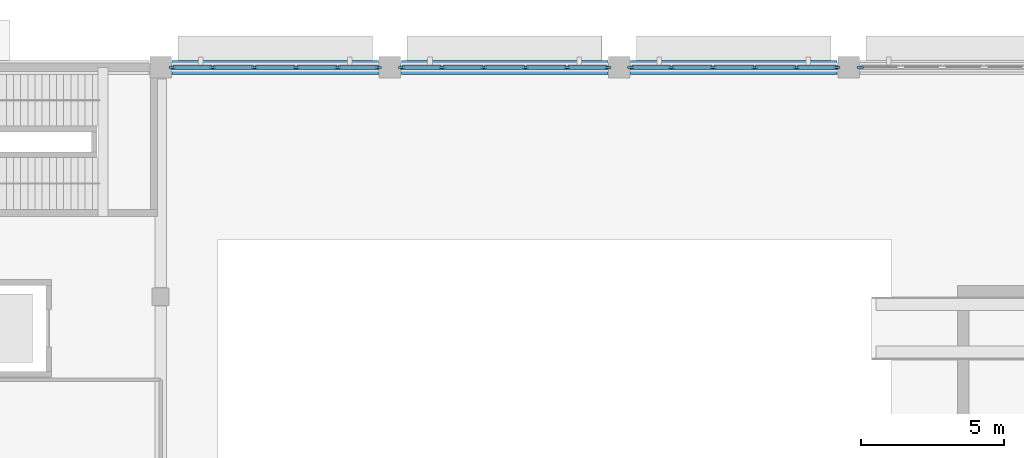
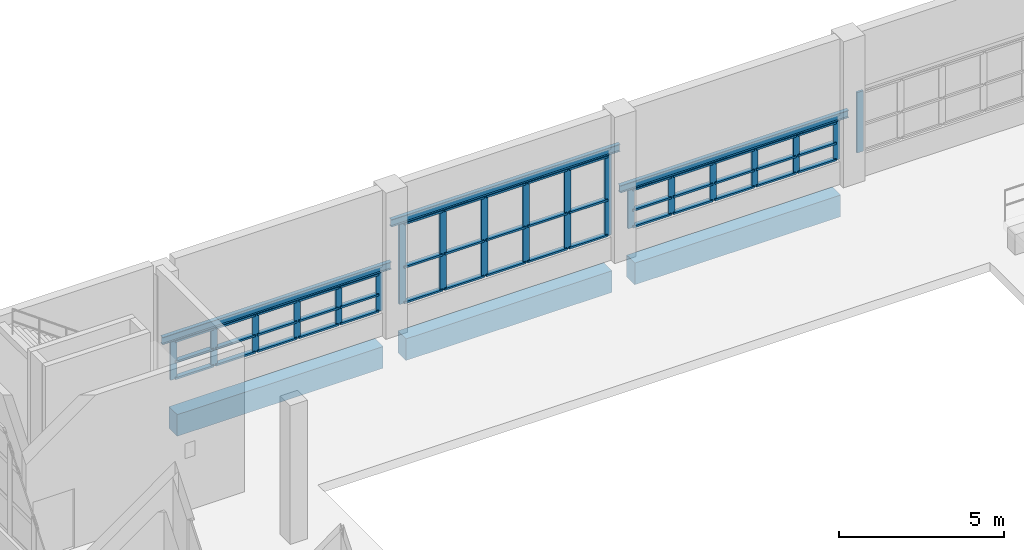
# One storey, part 29 of 103: 64 members, 6 beams, 4 elements without a shape of their own.
"""IFC4 building model written with IfcOpenShell, lengths in metres."""

import ifcopenshell
import ifcopenshell.guid

model = None  # the IFC model being written
_history = None  # IfcOwnerHistory: only IFC2X3 demands one
_inside = {}  # id of a spatial element -> (the spatial element, [elements in it])
_under = {}  # id of a project, library or spatial element -> (it, [spatial elements below it])
_declared = {}  # id of a project -> (the project, [libraries it declares])
_typed = {}  # id of a type object -> (the type object, [elements of that type])
_made_of = {}  # id of a material, layer set ... -> (it, [elements and type objects made of it])


def new_model(schema):
    """Start an empty IFC model of exactly this schema.

    Asked for "IFC4X3", IfcOpenShell would pick the latest addendum, in which some entities
    have other attributes; the version numbers below select the first issue.
    IFC2X3 requires an IfcOwnerHistory on every rooted entity: one is made here for all.
    """
    global model, _history
    if schema == "IFC4X3":
        model = ifcopenshell.file(schema_version=(4, 3, 0, 0))
    else:
        model = ifcopenshell.file(schema=schema)
    _inside.clear()
    _under.clear()
    _declared.clear()
    _typed.clear()
    _made_of.clear()
    _history = None
    if model.schema == "IFC2X3":
        org = make("IfcOrganization", Name="unknown")
        user = make(
            "IfcPersonAndOrganization",
            ThePerson=make("IfcPerson", FamilyName="unknown"),
            TheOrganization=org,
        )
        app = make(
            "IfcApplication",
            ApplicationDeveloper=org,
            Version="unknown",
            ApplicationFullName="unknown",
            ApplicationIdentifier="unknown",
        )
        _history = make(
            "IfcOwnerHistory",
            OwningUser=user,
            OwningApplication=app,
            ChangeAction="ADDED",
            CreationDate=0,
        )
    return model


def make(cls, **values):
    """One entity of the class cls with the attributes given. An attribute that is None is left unset."""
    return model.create_entity(
        cls, **{name: value for name, value in values.items() if value is not None}
    )


def rooted(cls, **values):
    """An entity with a GlobalId (a new one), such as an element, a storey or a relation."""
    return make(cls, GlobalId=ifcopenshell.guid.new(), OwnerHistory=_history, **values)


def si_unit(unit_type, name, prefix=None):
    """IfcSIUnit, for example si_unit("LENGTHUNIT", "METRE", prefix="MILLI")."""
    return make("IfcSIUnit", UnitType=unit_type, Prefix=prefix, Name=name)


def assignment(units):
    """IfcUnitAssignment: the units of a project."""
    return None if units is None else make("IfcUnitAssignment", Units=units)


def point(xyz):
    """IfcCartesianPoint."""
    return None if xyz is None else make("IfcCartesianPoint", Coordinates=xyz)


def direction(xyz):
    """IfcDirection."""
    return None if xyz is None else make("IfcDirection", DirectionRatios=xyz)


def frame(location, z_axis=None, x_axis=None):
    """IfcAxis2Placement3D, a coordinate frame: its origin and axes. An axis left out is left unset."""
    return make(
        "IfcAxis2Placement3D",
        Location=point(location),
        Axis=direction(z_axis),
        RefDirection=direction(x_axis),
    )


def frame_2d(location, x_axis=None):
    """IfcAxis2Placement2D, a coordinate frame in the plane: its origin and x axis."""
    return make(
        "IfcAxis2Placement2D", Location=point(location), RefDirection=direction(x_axis)
    )


def origin():
    """The frame at (0, 0, 0) with its axes left unset."""
    return frame((0.0, 0.0, 0.0))


def origin_2d():
    """The frame at (0, 0) in the plane with its x axis left unset."""
    return frame_2d((0.0, 0.0))


def place(relative_to, where):
    """IfcLocalPlacement: puts the frame where relative to a parent placement (None: the world)."""
    return make(
        "IfcLocalPlacement", PlacementRelTo=relative_to, RelativePlacement=where
    )


def context(
    kind, dimensions, precision=None, world=None, true_north=None, identifier=None
):
    """IfcGeometricRepresentationContext, for example the 3D "Model" context."""
    return make(
        "IfcGeometricRepresentationContext",
        ContextIdentifier=identifier,
        ContextType=kind,
        CoordinateSpaceDimension=dimensions,
        Precision=precision,
        WorldCoordinateSystem=world,
        TrueNorth=true_north,
    )


def subcontext(parent, identifier, kind, view, scale=None):
    """IfcGeometricRepresentationSubContext, for example "Body" below "Model"."""
    return make(
        "IfcGeometricRepresentationSubContext",
        ContextIdentifier=identifier,
        ContextType=kind,
        ParentContext=parent,
        TargetScale=scale,
        TargetView=view,
    )


def project(units=None, contexts=None):
    """IfcProject with its units and contexts."""
    return rooted(
        "IfcProject",
        Name="project",
        RepresentationContexts=contexts,
        UnitsInContext=assignment(units),
    )


def spatial(cls, under=None, at=None, **own):
    """A site, building, storey or space (cls), placed at a placement, below another one or the project."""
    s = rooted(cls, ObjectPlacement=at, **own)
    if under is not None:
        _under.setdefault(under.id(), (under, []))[1].append(s)
    return s


def profile(cls, at=None, kind="AREA", **sizes):
    """A parametric profile (cls). Its sizes go by their IFC names, for example OverallWidth=200.0."""
    return make(cls, ProfileType=kind, Position=at, **sizes)


def rectangle(**sizes):
    """IfcRectangleProfileDef."""
    return profile("IfcRectangleProfileDef", **sizes)


def i_section(**sizes):
    """IfcIShapeProfileDef."""
    return profile("IfcIShapeProfileDef", **sizes)


def extrude(swept, where, along, depth):
    """IfcExtrudedAreaSolid: the profile swept, set in the frame where, extruded along a direction by depth."""
    return make(
        "IfcExtrudedAreaSolid",
        SweptArea=swept,
        Position=where,
        ExtrudedDirection=direction(along),
        Depth=depth,
    )


def shape(context_of_items, identifier, shape_type, items):
    """IfcShapeRepresentation: the items that make up one representation, for example the "Body"."""
    return make(
        "IfcShapeRepresentation",
        ContextOfItems=context_of_items,
        RepresentationIdentifier=identifier,
        RepresentationType=shape_type,
        Items=items,
    )


def material(Name=None, Category=None):
    """IfcMaterial."""
    return make("IfcMaterial", Name=Name, Category=Category)


def layer(
    of_material, thickness, ventilated=None, Name=None, Category=None, Priority=None
):
    """IfcMaterialLayer: one layer of a wall or slab, of a material (None: an air gap)."""
    return make(
        "IfcMaterialLayer",
        Material=of_material,
        LayerThickness=thickness,
        IsVentilated=ventilated,
        Name=Name,
        Category=Category,
        Priority=Priority,
    )


def layer_set(layers, Name=None):
    """IfcMaterialLayerSet."""
    return make("IfcMaterialLayerSet", MaterialLayers=layers, LayerSetName=Name)


def material_profile(
    of_material, cross_section, Name=None, Category=None, Priority=None
):
    """IfcMaterialProfile: a cross section and its material."""
    return make(
        "IfcMaterialProfile",
        Name=Name,
        Material=of_material,
        Profile=cross_section,
        Priority=Priority,
        Category=Category,
    )


def profile_set(profiles, Name=None, composite=None):
    """IfcMaterialProfileSet."""
    return make(
        "IfcMaterialProfileSet",
        Name=Name,
        MaterialProfiles=profiles,
        CompositeProfile=composite,
    )


def made_of(thing, what):
    """Note that an element or type object is made of a material, layer set ...; save() writes the relation."""
    if what is not None:
        _made_of.setdefault(what.id(), (what, []))[1].append(thing)
    return thing


def type_object(cls, material=None, **own):
    """A type object (cls), such as IfcWallType, which elements share."""
    return made_of(rooted(cls, **own), material)


def element(
    cls,
    number,
    at=None,
    inside=None,
    cuts=None,
    type_object=None,
    material=None,
    context=None,
    identifier="Body",
    shape_type=None,
    held_by="IfcProductDefinitionShape",
    body=None,
    shapes=None,
    **own,
):
    """One element of the class cls, such as IfcWall. Its Tag is "e" and its number.

    at: its placement. inside: the storey or other place that contains it. cuts: it is an
    opening in that element (IfcRelVoidsElement). A single representation is given by context,
    identifier, shape_type and body (its items); several are given by shapes. held_by: the class
    of the entity that holds the representations. save() writes the other relations.
    """
    e = rooted(cls, Tag="e%d" % number, ObjectPlacement=at, **own)
    if body is not None:
        shapes = [shape(context, identifier, shape_type, body)]
    if shapes is not None:
        e.Representation = make(held_by, Representations=shapes)
    if inside is not None:
        _inside.setdefault(inside.id(), (inside, []))[1].append(e)
    if cuts is not None:
        rooted(
            "IfcRelVoidsElement", RelatingBuildingElement=cuts, RelatedOpeningElement=e
        )
    if type_object is not None:
        _typed.setdefault(type_object.id(), (type_object, []))[1].append(e)
    return made_of(e, material)


def aggregate(whole, parts):
    """IfcRelAggregates: a whole, such as a stair, and the parts it consists of."""
    return rooted("IfcRelAggregates", RelatingObject=whole, RelatedObjects=parts)


def save(model, path):
    """Write the relations noted so far, then the file.

    IfcRelAggregates (storeys below a building ...), IfcRelContainedInSpatialStructure (elements
    in a storey), IfcRelDefinesByType, IfcRelAssociatesMaterial and IfcRelDeclares: one each for
    every whole, place, type object, material and project.
    """
    for whole, parts in _under.values():
        aggregate(whole, parts)
    for where, things in _inside.values():
        rooted(
            "IfcRelContainedInSpatialStructure",
            RelatedElements=things,
            RelatingStructure=where,
        )
    for kind, things in _typed.values():
        rooted("IfcRelDefinesByType", RelatedObjects=things, RelatingType=kind)
    for what, things in _made_of.values():
        rooted("IfcRelAssociatesMaterial", RelatedObjects=things, RelatingMaterial=what)
    for by, libraries in _declared.values():
        rooted("IfcRelDeclares", RelatingContext=by, RelatedDefinitions=libraries)
    model.write(path)


model = new_model("IFC4")

# Units and contexts
model_context = context("Model", 3, precision=1e-05, world=origin(), true_north=direction((0.0, 1.0)))
body_context = subcontext(model_context, "Body", "Model", "MODEL_VIEW")
ifc_project = project(units=[si_unit("LENGTHUNIT", "METRE"), si_unit("AREAUNIT", "SQUARE_METRE"), si_unit("VOLUMEUNIT", "CUBIC_METRE"), si_unit("PLANEANGLEUNIT", "RADIAN"), si_unit("MASSUNIT", "GRAM", prefix="KILO")], contexts=[model_context])

# Site, building, storey
site_placement = place(None, origin())
site = spatial("IfcSite", under=ifc_project, at=site_placement, CompositionType="ELEMENT")
building_placement = place(site_placement, origin())
building = spatial("IfcBuilding", under=site, at=building_placement, Name="Drelvana Railside Aquatics Centre", CompositionType="ELEMENT")
storey_placement = place(building_placement, origin())
storey = spatial("IfcBuildingStorey", under=building, at=storey_placement, Name="L00", CompositionType="ELEMENT", Elevation=0.0)

# Curtain wall, members
ifc_material_1 = material(Name="Bronze-anodised aluminium curtain wall", Category="aluminium")
ifc_layer = layer(ifc_material_1, 0.199951171875, Name="Bronze-anodised aluminium curtain wall")
ifc_layer_set = layer_set([ifc_layer], Name="Bronze-anodised aluminium curtain wall")
curtain_wall_type = type_object("IfcCurtainWallType", Name="CW-Z1-SINE", PredefinedType="NOTDEFINED", material=ifc_layer_set)
curtain_wall_1_placement = place(storey_placement, origin())
curtain_wall_1 = element("IfcCurtainWall", 1, at=curtain_wall_1_placement, inside=storey, type_object=curtain_wall_type, Name="Curtain wall CW-01-028", PredefinedType="NOTDEFINED")
ifc_material_2 = material(Name="Bronze-anodised aluminium 6063-T6", Category="aluminium")
ifc_material_profile_1 = material_profile(ifc_material_2, rectangle(XDim=0.074951171875, YDim=0.22509765625, at=origin_2d()), Name="ALU-M 75x225")
ifc_profile_set_1 = profile_set([ifc_material_profile_1], Name="Bronze-anodised aluminium 6063-T6")
member_type_1 = type_object("IfcMemberType", Name="CW-Z1-SINE-MUL", PredefinedType="MULLION", material=ifc_profile_set_1)
member_1_placement = place(storey_placement, frame((32.406494140625, 116.0, 0.843994140625), z_axis=(0.0, 0.0, 1.0), x_axis=(0.0, 1.0, 0.0)))
member_1 = element("IfcMember", 2, at=member_1_placement, type_object=member_type_1, Name="CW-01 mullion 1", PredefinedType="MULLION", context=body_context, shape_type="SweptSolid", body=[
    extrude(rectangle(XDim=0.074951171875, YDim=0.22509765625, at=origin_2d()), origin(), (0.0, 0.0, 1.0), 1.43603515625),
])
member_2_placement = place(storey_placement, frame((33.8212890625, 116.0, 0.843994140625), z_axis=(0.0, 0.0, 1.0), x_axis=(0.0, 1.0, 0.0)))
member_2 = element("IfcMember", 3, at=member_2_placement, type_object=member_type_1, Name="CW-01 mullion 2", PredefinedType="MULLION", context=body_context, shape_type="SweptSolid", body=[
    extrude(rectangle(XDim=0.074951171875, YDim=0.22509765625, at=origin_2d()), origin(), (0.0, 0.0, 1.0), 1.43603515625),
])
member_3_placement = place(storey_placement, frame((35.273681640625, 116.0, 0.843994140625), z_axis=(0.0, 0.0, 1.0), x_axis=(0.0, 1.0, 0.0)))
member_3 = element("IfcMember", 4, at=member_3_placement, type_object=member_type_1, Name="CW-01 mullion 3", PredefinedType="MULLION", context=body_context, shape_type="SweptSolid", body=[
    extrude(rectangle(XDim=0.074951171875, YDim=0.22509765625, at=origin_2d()), origin(), (0.0, 0.0, 1.0), 1.43603515625),
])
member_4_placement = place(storey_placement, frame((36.726318359375, 116.0, 0.843994140625), z_axis=(0.0, 0.0, 1.0), x_axis=(0.0, 1.0, 0.0)))
member_4 = element("IfcMember", 5, at=member_4_placement, type_object=member_type_1, Name="CW-01 mullion 4", PredefinedType="MULLION", context=body_context, shape_type="SweptSolid", body=[
    extrude(rectangle(XDim=0.074951171875, YDim=0.22509765625, at=origin_2d()), origin(), (0.0, 0.0, 1.0), 1.43603515625),
])
member_5_placement = place(storey_placement, frame((38.1787109375, 116.0, 0.843994140625), z_axis=(0.0, 0.0, 1.0), x_axis=(0.0, 1.0, 0.0)))
member_5 = element("IfcMember", 6, at=member_5_placement, type_object=member_type_1, Name="CW-01 mullion 5", PredefinedType="MULLION", context=body_context, shape_type="SweptSolid", body=[
    extrude(rectangle(XDim=0.074951171875, YDim=0.22509765625, at=origin_2d()), origin(), (0.0, 0.0, 1.0), 1.43603515625),
])
member_6_placement = place(storey_placement, frame((39.593505859375, 116.0, 0.843994140625), z_axis=(0.0, 0.0, 1.0), x_axis=(0.0, 1.0, 0.0)))
member_6 = element("IfcMember", 7, at=member_6_placement, type_object=member_type_1, Name="CW-01 mullion 6", PredefinedType="MULLION", context=body_context, shape_type="SweptSolid", body=[
    extrude(rectangle(XDim=0.074951171875, YDim=0.22509765625, at=origin_2d()), origin(), (0.0, 0.0, 1.0), 1.43603515625),
])

curtain_wall_2_placement = place(storey_placement, origin())
curtain_wall_2 = element("IfcCurtainWall", 8, at=curtain_wall_2_placement, inside=storey, type_object=curtain_wall_type, Name="Curtain wall CW-01-031", PredefinedType="NOTDEFINED")
member_7_placement = place(storey_placement, frame((40.406494140625, 116.0, 0.843994140625), z_axis=(0.0, 0.0, 1.0), x_axis=(0.0, 1.0, 0.0)))
member_7 = element("IfcMember", 9, at=member_7_placement, type_object=member_type_1, Name="CW-01 mullion 1", PredefinedType="MULLION", context=body_context, shape_type="SweptSolid", body=[
    extrude(rectangle(XDim=0.074951171875, YDim=0.22509765625, at=origin_2d()), origin(), (0.0, 0.0, 1.0), 2.986083984375),
])
member_8_placement = place(storey_placement, frame((41.8212890625, 116.0, 0.843994140625), z_axis=(0.0, 0.0, 1.0), x_axis=(0.0, 1.0, 0.0)))
member_8 = element("IfcMember", 10, at=member_8_placement, type_object=member_type_1, Name="CW-01 mullion 2", PredefinedType="MULLION", context=body_context, shape_type="SweptSolid", body=[
    extrude(rectangle(XDim=0.074951171875, YDim=0.22509765625, at=origin_2d()), origin(), (0.0, 0.0, 1.0), 2.986083984375),
])
member_9_placement = place(storey_placement, frame((43.273681640625, 116.0, 0.843994140625), z_axis=(0.0, 0.0, 1.0), x_axis=(0.0, 1.0, 0.0)))
member_9 = element("IfcMember", 11, at=member_9_placement, type_object=member_type_1, Name="CW-01 mullion 3", PredefinedType="MULLION", context=body_context, shape_type="SweptSolid", body=[
    extrude(rectangle(XDim=0.074951171875, YDim=0.22509765625, at=origin_2d()), origin(), (0.0, 0.0, 1.0), 2.986083984375),
])
member_10_placement = place(storey_placement, frame((44.726318359375, 116.0, 0.843994140625), z_axis=(0.0, 0.0, 1.0), x_axis=(0.0, 1.0, 0.0)))
member_10 = element("IfcMember", 12, at=member_10_placement, type_object=member_type_1, Name="CW-01 mullion 4", PredefinedType="MULLION", context=body_context, shape_type="SweptSolid", body=[
    extrude(rectangle(XDim=0.074951171875, YDim=0.22509765625, at=origin_2d()), origin(), (0.0, 0.0, 1.0), 2.986083984375),
])
member_11_placement = place(storey_placement, frame((46.1787109375, 116.0, 0.843994140625), z_axis=(0.0, 0.0, 1.0), x_axis=(0.0, 1.0, 0.0)))
member_11 = element("IfcMember", 13, at=member_11_placement, type_object=member_type_1, Name="CW-01 mullion 5", PredefinedType="MULLION", context=body_context, shape_type="SweptSolid", body=[
    extrude(rectangle(XDim=0.074951171875, YDim=0.22509765625, at=origin_2d()), origin(), (0.0, 0.0, 1.0), 2.986083984375),
])
member_12_placement = place(storey_placement, frame((47.593505859375, 116.0, 0.843994140625), z_axis=(0.0, 0.0, 1.0), x_axis=(0.0, 1.0, 0.0)))
member_12 = element("IfcMember", 14, at=member_12_placement, type_object=member_type_1, Name="CW-01 mullion 6", PredefinedType="MULLION", context=body_context, shape_type="SweptSolid", body=[
    extrude(rectangle(XDim=0.074951171875, YDim=0.22509765625, at=origin_2d()), origin(), (0.0, 0.0, 1.0), 2.986083984375),
])

curtain_wall_3_placement = place(storey_placement, origin())
curtain_wall_3 = element("IfcCurtainWall", 15, at=curtain_wall_3_placement, inside=storey, type_object=curtain_wall_type, Name="Curtain wall CW-01-034", PredefinedType="NOTDEFINED")
member_13_placement = place(storey_placement, frame((48.406494140625, 116.0, 0.843994140625), z_axis=(0.0, 0.0, 1.0), x_axis=(0.0, 1.0, 0.0)))
member_13 = element("IfcMember", 16, at=member_13_placement, type_object=member_type_1, Name="CW-01 mullion 1", PredefinedType="MULLION", context=body_context, shape_type="SweptSolid", body=[
    extrude(rectangle(XDim=0.074951171875, YDim=0.22509765625, at=origin_2d()), origin(), (0.0, 0.0, 1.0), 1.44189453125),
])
member_14_placement = place(storey_placement, frame((49.8212890625, 116.0, 0.843994140625), z_axis=(0.0, 0.0, 1.0), x_axis=(0.0, 1.0, 0.0)))
member_14 = element("IfcMember", 17, at=member_14_placement, type_object=member_type_1, Name="CW-01 mullion 2", PredefinedType="MULLION", context=body_context, shape_type="SweptSolid", body=[
    extrude(rectangle(XDim=0.074951171875, YDim=0.22509765625, at=origin_2d()), origin(), (0.0, 0.0, 1.0), 1.44189453125),
])
member_15_placement = place(storey_placement, frame((51.273681640625, 116.0, 0.843994140625), z_axis=(0.0, 0.0, 1.0), x_axis=(0.0, 1.0, 0.0)))
member_15 = element("IfcMember", 18, at=member_15_placement, type_object=member_type_1, Name="CW-01 mullion 3", PredefinedType="MULLION", context=body_context, shape_type="SweptSolid", body=[
    extrude(rectangle(XDim=0.074951171875, YDim=0.22509765625, at=origin_2d()), origin(), (0.0, 0.0, 1.0), 1.44189453125),
])
member_16_placement = place(storey_placement, frame((52.726318359375, 116.0, 0.843994140625), z_axis=(0.0, 0.0, 1.0), x_axis=(0.0, 1.0, 0.0)))
member_16 = element("IfcMember", 19, at=member_16_placement, type_object=member_type_1, Name="CW-01 mullion 4", PredefinedType="MULLION", context=body_context, shape_type="SweptSolid", body=[
    extrude(rectangle(XDim=0.074951171875, YDim=0.22509765625, at=origin_2d()), origin(), (0.0, 0.0, 1.0), 1.44189453125),
])
member_17_placement = place(storey_placement, frame((54.1787109375, 116.0, 0.843994140625), z_axis=(0.0, 0.0, 1.0), x_axis=(0.0, 1.0, 0.0)))
member_17 = element("IfcMember", 20, at=member_17_placement, type_object=member_type_1, Name="CW-01 mullion 5", PredefinedType="MULLION", context=body_context, shape_type="SweptSolid", body=[
    extrude(rectangle(XDim=0.074951171875, YDim=0.22509765625, at=origin_2d()), origin(), (0.0, 0.0, 1.0), 1.44189453125),
])
member_18_placement = place(storey_placement, frame((55.593505859375, 116.0, 0.843994140625), z_axis=(0.0, 0.0, 1.0), x_axis=(0.0, 1.0, 0.0)))
member_18 = element("IfcMember", 21, at=member_18_placement, type_object=member_type_1, Name="CW-01 mullion 6", PredefinedType="MULLION", context=body_context, shape_type="SweptSolid", body=[
    extrude(rectangle(XDim=0.074951171875, YDim=0.22509765625, at=origin_2d()), origin(), (0.0, 0.0, 1.0), 1.44189453125),
])

# Curtain wall, member
curtain_wall_4_placement = place(storey_placement, origin())
curtain_wall_4 = element("IfcCurtainWall", 22, at=curtain_wall_4_placement, inside=storey, type_object=curtain_wall_type, Name="Curtain wall CW-01-037", PredefinedType="NOTDEFINED")
member_19_placement = place(storey_placement, frame((56.406494140625, 116.0, 0.843994140625), z_axis=(0.0, 0.0, 1.0), x_axis=(0.0, 1.0, 0.0)))
member_19 = element("IfcMember", 23, at=member_19_placement, type_object=member_type_1, Name="CW-01 mullion 1", PredefinedType="MULLION", context=body_context, shape_type="SweptSolid", body=[
    extrude(rectangle(XDim=0.074951171875, YDim=0.22509765625, at=origin_2d()), origin(), (0.0, 0.0, 1.0), 2.236083984375),
])
aggregate(curtain_wall_4, [member_19])

# Member
ifc_material_profile_2 = material_profile(ifc_material_2, rectangle(XDim=0.159912109375, YDim=0.070068359375, at=origin_2d()), Name="ALU-T 70x160")
ifc_profile_set_2 = profile_set([ifc_material_profile_2], Name="Bronze-anodised aluminium 6063-T6")
member_type_2 = type_object("IfcMemberType", Name="CW-Z1-SINE-TRN", PredefinedType="USERDEFINED", material=ifc_profile_set_2)
member_20_placement = place(storey_placement, frame((32.43896484375, 116.0, 0.87890625), z_axis=(1.0, 0.0, 0.0), x_axis=(0.0, 1.0, 0.0)))
member_20 = element("IfcMember", 24, at=member_20_placement, type_object=member_type_2, Name="CW-01 transom 1.1", ObjectType="TRANSOM", PredefinedType="USERDEFINED", context=body_context, shape_type="SweptSolid", body=[
    extrude(rectangle(XDim=0.159912109375, YDim=0.070068359375, at=origin_2d()), origin(), (0.0, 0.0, 1.0), 1.349853515625),
])

member_21_placement = place(storey_placement, frame((32.43896484375, 116.0, 1.489990234375), z_axis=(1.0, 0.0, 0.0), x_axis=(0.0, 1.0, 0.0)))
member_21 = element("IfcMember", 25, at=member_21_placement, type_object=member_type_2, Name="CW-01 transom 1.2", ObjectType="TRANSOM", PredefinedType="USERDEFINED", context=body_context, shape_type="SweptSolid", body=[
    extrude(rectangle(XDim=0.159912109375, YDim=0.070068359375, at=origin_2d()), origin(), (0.0, 0.0, 1.0), 1.349853515625),
])

member_22_placement = place(storey_placement, frame((32.43896484375, 116.0, 2.2451171875), z_axis=(1.0, 0.0, 0.0), x_axis=(0.0, 1.0, 0.0)))
member_22 = element("IfcMember", 26, at=member_22_placement, type_object=member_type_2, Name="CW-01 transom 1.3", ObjectType="TRANSOM", PredefinedType="USERDEFINED", context=body_context, shape_type="SweptSolid", body=[
    extrude(rectangle(XDim=0.159912109375, YDim=0.070068359375, at=origin_2d()), origin(), (0.0, 0.0, 1.0), 1.349853515625),
])

member_23_placement = place(storey_placement, frame((33.85400390625, 116.0, 0.87890625), z_axis=(1.0, 0.0, 0.0), x_axis=(0.0, 1.0, 0.0)))
member_23 = element("IfcMember", 27, at=member_23_placement, type_object=member_type_2, Name="CW-01 transom 2.1", ObjectType="TRANSOM", PredefinedType="USERDEFINED", context=body_context, shape_type="SweptSolid", body=[
    extrude(rectangle(XDim=0.159912109375, YDim=0.070068359375, at=origin_2d()), origin(), (0.0, 0.0, 1.0), 1.38720703125),
])

member_24_placement = place(storey_placement, frame((33.85400390625, 116.0, 1.489990234375), z_axis=(1.0, 0.0, 0.0), x_axis=(0.0, 1.0, 0.0)))
member_24 = element("IfcMember", 28, at=member_24_placement, type_object=member_type_2, Name="CW-01 transom 2.2", ObjectType="TRANSOM", PredefinedType="USERDEFINED", context=body_context, shape_type="SweptSolid", body=[
    extrude(rectangle(XDim=0.159912109375, YDim=0.070068359375, at=origin_2d()), origin(), (0.0, 0.0, 1.0), 1.38720703125),
])

member_25_placement = place(storey_placement, frame((33.85400390625, 116.0, 2.2451171875), z_axis=(1.0, 0.0, 0.0), x_axis=(0.0, 1.0, 0.0)))
member_25 = element("IfcMember", 29, at=member_25_placement, type_object=member_type_2, Name="CW-01 transom 2.3", ObjectType="TRANSOM", PredefinedType="USERDEFINED", context=body_context, shape_type="SweptSolid", body=[
    extrude(rectangle(XDim=0.159912109375, YDim=0.070068359375, at=origin_2d()), origin(), (0.0, 0.0, 1.0), 1.38720703125),
])

member_26_placement = place(storey_placement, frame((35.306396484375, 116.0, 0.87890625), z_axis=(1.0, 0.0, 0.0), x_axis=(0.0, 1.0, 0.0)))
member_26 = element("IfcMember", 30, at=member_26_placement, type_object=member_type_2, Name="CW-01 transom 3.1", ObjectType="TRANSOM", PredefinedType="USERDEFINED", context=body_context, shape_type="SweptSolid", body=[
    extrude(rectangle(XDim=0.159912109375, YDim=0.070068359375, at=origin_2d()), origin(), (0.0, 0.0, 1.0), 1.38720703125),
])

member_27_placement = place(storey_placement, frame((35.306396484375, 116.0, 1.489990234375), z_axis=(1.0, 0.0, 0.0), x_axis=(0.0, 1.0, 0.0)))
member_27 = element("IfcMember", 31, at=member_27_placement, type_object=member_type_2, Name="CW-01 transom 3.2", ObjectType="TRANSOM", PredefinedType="USERDEFINED", context=body_context, shape_type="SweptSolid", body=[
    extrude(rectangle(XDim=0.159912109375, YDim=0.070068359375, at=origin_2d()), origin(), (0.0, 0.0, 1.0), 1.38720703125),
])

member_28_placement = place(storey_placement, frame((35.306396484375, 116.0, 2.2451171875), z_axis=(1.0, 0.0, 0.0), x_axis=(0.0, 1.0, 0.0)))
member_28 = element("IfcMember", 32, at=member_28_placement, type_object=member_type_2, Name="CW-01 transom 3.3", ObjectType="TRANSOM", PredefinedType="USERDEFINED", context=body_context, shape_type="SweptSolid", body=[
    extrude(rectangle(XDim=0.159912109375, YDim=0.070068359375, at=origin_2d()), origin(), (0.0, 0.0, 1.0), 1.38720703125),
])

member_29_placement = place(storey_placement, frame((36.7587890625, 116.0, 0.87890625), z_axis=(1.0, 0.0, 0.0), x_axis=(0.0, 1.0, 0.0)))
member_29 = element("IfcMember", 33, at=member_29_placement, type_object=member_type_2, Name="CW-01 transom 4.1", ObjectType="TRANSOM", PredefinedType="USERDEFINED", context=body_context, shape_type="SweptSolid", body=[
    extrude(rectangle(XDim=0.159912109375, YDim=0.070068359375, at=origin_2d()), origin(), (0.0, 0.0, 1.0), 1.38720703125),
])

member_30_placement = place(storey_placement, frame((36.7587890625, 116.0, 1.489990234375), z_axis=(1.0, 0.0, 0.0), x_axis=(0.0, 1.0, 0.0)))
member_30 = element("IfcMember", 34, at=member_30_placement, type_object=member_type_2, Name="CW-01 transom 4.2", ObjectType="TRANSOM", PredefinedType="USERDEFINED", context=body_context, shape_type="SweptSolid", body=[
    extrude(rectangle(XDim=0.159912109375, YDim=0.070068359375, at=origin_2d()), origin(), (0.0, 0.0, 1.0), 1.38720703125),
])

member_31_placement = place(storey_placement, frame((36.7587890625, 116.0, 2.2451171875), z_axis=(1.0, 0.0, 0.0), x_axis=(0.0, 1.0, 0.0)))
member_31 = element("IfcMember", 35, at=member_31_placement, type_object=member_type_2, Name="CW-01 transom 4.3", ObjectType="TRANSOM", PredefinedType="USERDEFINED", context=body_context, shape_type="SweptSolid", body=[
    extrude(rectangle(XDim=0.159912109375, YDim=0.070068359375, at=origin_2d()), origin(), (0.0, 0.0, 1.0), 1.38720703125),
])

member_32_placement = place(storey_placement, frame((38.211181640625, 116.0, 0.87890625), z_axis=(1.0, 0.0, 0.0), x_axis=(0.0, 1.0, 0.0)))
member_32 = element("IfcMember", 36, at=member_32_placement, type_object=member_type_2, Name="CW-01 transom 5.1", ObjectType="TRANSOM", PredefinedType="USERDEFINED", context=body_context, shape_type="SweptSolid", body=[
    extrude(rectangle(XDim=0.159912109375, YDim=0.070068359375, at=origin_2d()), origin(), (0.0, 0.0, 1.0), 1.349853515625),
])

member_33_placement = place(storey_placement, frame((38.211181640625, 116.0, 1.489990234375), z_axis=(1.0, 0.0, 0.0), x_axis=(0.0, 1.0, 0.0)))
member_33 = element("IfcMember", 37, at=member_33_placement, type_object=member_type_2, Name="CW-01 transom 5.2", ObjectType="TRANSOM", PredefinedType="USERDEFINED", context=body_context, shape_type="SweptSolid", body=[
    extrude(rectangle(XDim=0.159912109375, YDim=0.070068359375, at=origin_2d()), origin(), (0.0, 0.0, 1.0), 1.349853515625),
])

member_34_placement = place(storey_placement, frame((38.211181640625, 116.0, 2.2451171875), z_axis=(1.0, 0.0, 0.0), x_axis=(0.0, 1.0, 0.0)))
member_34 = element("IfcMember", 38, at=member_34_placement, type_object=member_type_2, Name="CW-01 transom 5.3", ObjectType="TRANSOM", PredefinedType="USERDEFINED", context=body_context, shape_type="SweptSolid", body=[
    extrude(rectangle(XDim=0.159912109375, YDim=0.070068359375, at=origin_2d()), origin(), (0.0, 0.0, 1.0), 1.349853515625),
])

aggregate(curtain_wall_1, [member_1, member_2, member_3, member_4, member_5, member_6, member_20, member_21, member_22, member_23, member_24, member_25, member_26, member_27, member_28, member_29, member_30, member_31, member_32, member_33, member_34])

member_35_placement = place(storey_placement, frame((40.43896484375, 116.0, 0.87890625), z_axis=(1.0, 0.0, 0.0), x_axis=(0.0, 1.0, 0.0)))
member_35 = element("IfcMember", 39, at=member_35_placement, type_object=member_type_2, Name="CW-01 transom 1.1", ObjectType="TRANSOM", PredefinedType="USERDEFINED", context=body_context, shape_type="SweptSolid", body=[
    extrude(rectangle(XDim=0.159912109375, YDim=0.070068359375, at=origin_2d()), origin(), (0.0, 0.0, 1.0), 1.349853515625),
])

member_36_placement = place(storey_placement, frame((40.43896484375, 116.0, 2.18798828125), z_axis=(1.0, 0.0, 0.0), x_axis=(0.0, 1.0, 0.0)))
member_36 = element("IfcMember", 40, at=member_36_placement, type_object=member_type_2, Name="CW-01 transom 1.2", ObjectType="TRANSOM", PredefinedType="USERDEFINED", context=body_context, shape_type="SweptSolid", body=[
    extrude(rectangle(XDim=0.159912109375, YDim=0.070068359375, at=origin_2d()), origin(), (0.0, 0.0, 1.0), 1.349853515625),
])

member_37_placement = place(storey_placement, frame((40.43896484375, 116.0, 3.794921875), z_axis=(1.0, 0.0, 0.0), x_axis=(0.0, 1.0, 0.0)))
member_37 = element("IfcMember", 41, at=member_37_placement, type_object=member_type_2, Name="CW-01 transom 1.3", ObjectType="TRANSOM", PredefinedType="USERDEFINED", context=body_context, shape_type="SweptSolid", body=[
    extrude(rectangle(XDim=0.159912109375, YDim=0.070068359375, at=origin_2d()), origin(), (0.0, 0.0, 1.0), 1.349853515625),
])

member_38_placement = place(storey_placement, frame((41.85400390625, 116.0, 0.87890625), z_axis=(1.0, 0.0, 0.0), x_axis=(0.0, 1.0, 0.0)))
member_38 = element("IfcMember", 42, at=member_38_placement, type_object=member_type_2, Name="CW-01 transom 2.1", ObjectType="TRANSOM", PredefinedType="USERDEFINED", context=body_context, shape_type="SweptSolid", body=[
    extrude(rectangle(XDim=0.159912109375, YDim=0.070068359375, at=origin_2d()), origin(), (0.0, 0.0, 1.0), 1.38720703125),
])

member_39_placement = place(storey_placement, frame((41.85400390625, 116.0, 2.18798828125), z_axis=(1.0, 0.0, 0.0), x_axis=(0.0, 1.0, 0.0)))
member_39 = element("IfcMember", 43, at=member_39_placement, type_object=member_type_2, Name="CW-01 transom 2.2", ObjectType="TRANSOM", PredefinedType="USERDEFINED", context=body_context, shape_type="SweptSolid", body=[
    extrude(rectangle(XDim=0.159912109375, YDim=0.070068359375, at=origin_2d()), origin(), (0.0, 0.0, 1.0), 1.38720703125),
])

member_40_placement = place(storey_placement, frame((41.85400390625, 116.0, 3.794921875), z_axis=(1.0, 0.0, 0.0), x_axis=(0.0, 1.0, 0.0)))
member_40 = element("IfcMember", 44, at=member_40_placement, type_object=member_type_2, Name="CW-01 transom 2.3", ObjectType="TRANSOM", PredefinedType="USERDEFINED", context=body_context, shape_type="SweptSolid", body=[
    extrude(rectangle(XDim=0.159912109375, YDim=0.070068359375, at=origin_2d()), origin(), (0.0, 0.0, 1.0), 1.38720703125),
])

member_41_placement = place(storey_placement, frame((43.306396484375, 116.0, 0.87890625), z_axis=(1.0, 0.0, 0.0), x_axis=(0.0, 1.0, 0.0)))
member_41 = element("IfcMember", 45, at=member_41_placement, type_object=member_type_2, Name="CW-01 transom 3.1", ObjectType="TRANSOM", PredefinedType="USERDEFINED", context=body_context, shape_type="SweptSolid", body=[
    extrude(rectangle(XDim=0.159912109375, YDim=0.070068359375, at=origin_2d()), origin(), (0.0, 0.0, 1.0), 1.38720703125),
])

member_42_placement = place(storey_placement, frame((43.306396484375, 116.0, 2.18798828125), z_axis=(1.0, 0.0, 0.0), x_axis=(0.0, 1.0, 0.0)))
member_42 = element("IfcMember", 46, at=member_42_placement, type_object=member_type_2, Name="CW-01 transom 3.2", ObjectType="TRANSOM", PredefinedType="USERDEFINED", context=body_context, shape_type="SweptSolid", body=[
    extrude(rectangle(XDim=0.159912109375, YDim=0.070068359375, at=origin_2d()), origin(), (0.0, 0.0, 1.0), 1.38720703125),
])

member_43_placement = place(storey_placement, frame((43.306396484375, 116.0, 3.794921875), z_axis=(1.0, 0.0, 0.0), x_axis=(0.0, 1.0, 0.0)))
member_43 = element("IfcMember", 47, at=member_43_placement, type_object=member_type_2, Name="CW-01 transom 3.3", ObjectType="TRANSOM", PredefinedType="USERDEFINED", context=body_context, shape_type="SweptSolid", body=[
    extrude(rectangle(XDim=0.159912109375, YDim=0.070068359375, at=origin_2d()), origin(), (0.0, 0.0, 1.0), 1.38720703125),
])

member_44_placement = place(storey_placement, frame((44.7587890625, 116.0, 0.87890625), z_axis=(1.0, 0.0, 0.0), x_axis=(0.0, 1.0, 0.0)))
member_44 = element("IfcMember", 48, at=member_44_placement, type_object=member_type_2, Name="CW-01 transom 4.1", ObjectType="TRANSOM", PredefinedType="USERDEFINED", context=body_context, shape_type="SweptSolid", body=[
    extrude(rectangle(XDim=0.159912109375, YDim=0.070068359375, at=origin_2d()), origin(), (0.0, 0.0, 1.0), 1.38720703125),
])

member_45_placement = place(storey_placement, frame((44.7587890625, 116.0, 2.18798828125), z_axis=(1.0, 0.0, 0.0), x_axis=(0.0, 1.0, 0.0)))
member_45 = element("IfcMember", 49, at=member_45_placement, type_object=member_type_2, Name="CW-01 transom 4.2", ObjectType="TRANSOM", PredefinedType="USERDEFINED", context=body_context, shape_type="SweptSolid", body=[
    extrude(rectangle(XDim=0.159912109375, YDim=0.070068359375, at=origin_2d()), origin(), (0.0, 0.0, 1.0), 1.38720703125),
])

member_46_placement = place(storey_placement, frame((44.7587890625, 116.0, 3.794921875), z_axis=(1.0, 0.0, 0.0), x_axis=(0.0, 1.0, 0.0)))
member_46 = element("IfcMember", 50, at=member_46_placement, type_object=member_type_2, Name="CW-01 transom 4.3", ObjectType="TRANSOM", PredefinedType="USERDEFINED", context=body_context, shape_type="SweptSolid", body=[
    extrude(rectangle(XDim=0.159912109375, YDim=0.070068359375, at=origin_2d()), origin(), (0.0, 0.0, 1.0), 1.38720703125),
])

member_47_placement = place(storey_placement, frame((46.211181640625, 116.0, 0.87890625), z_axis=(1.0, 0.0, 0.0), x_axis=(0.0, 1.0, 0.0)))
member_47 = element("IfcMember", 51, at=member_47_placement, type_object=member_type_2, Name="CW-01 transom 5.1", ObjectType="TRANSOM", PredefinedType="USERDEFINED", context=body_context, shape_type="SweptSolid", body=[
    extrude(rectangle(XDim=0.159912109375, YDim=0.070068359375, at=origin_2d()), origin(), (0.0, 0.0, 1.0), 1.349853515625),
])

member_48_placement = place(storey_placement, frame((46.211181640625, 116.0, 2.18798828125), z_axis=(1.0, 0.0, 0.0), x_axis=(0.0, 1.0, 0.0)))
member_48 = element("IfcMember", 52, at=member_48_placement, type_object=member_type_2, Name="CW-01 transom 5.2", ObjectType="TRANSOM", PredefinedType="USERDEFINED", context=body_context, shape_type="SweptSolid", body=[
    extrude(rectangle(XDim=0.159912109375, YDim=0.070068359375, at=origin_2d()), origin(), (0.0, 0.0, 1.0), 1.349853515625),
])

member_49_placement = place(storey_placement, frame((46.211181640625, 116.0, 3.794921875), z_axis=(1.0, 0.0, 0.0), x_axis=(0.0, 1.0, 0.0)))
member_49 = element("IfcMember", 53, at=member_49_placement, type_object=member_type_2, Name="CW-01 transom 5.3", ObjectType="TRANSOM", PredefinedType="USERDEFINED", context=body_context, shape_type="SweptSolid", body=[
    extrude(rectangle(XDim=0.159912109375, YDim=0.070068359375, at=origin_2d()), origin(), (0.0, 0.0, 1.0), 1.349853515625),
])

aggregate(curtain_wall_2, [member_7, member_8, member_9, member_10, member_11, member_12, member_35, member_36, member_37, member_38, member_39, member_40, member_41, member_42, member_43, member_44, member_45, member_46, member_47, member_48, member_49])

member_50_placement = place(storey_placement, frame((48.43896484375, 116.0, 0.87890625), z_axis=(1.0, 0.0, 0.0), x_axis=(0.0, 1.0, 0.0)))
member_50 = element("IfcMember", 54, at=member_50_placement, type_object=member_type_2, Name="CW-01 transom 1.1", ObjectType="TRANSOM", PredefinedType="USERDEFINED", context=body_context, shape_type="SweptSolid", body=[
    extrude(rectangle(XDim=0.159912109375, YDim=0.070068359375, at=origin_2d()), origin(), (0.0, 0.0, 1.0), 1.349853515625),
])

member_51_placement = place(storey_placement, frame((48.43896484375, 116.0, 1.492919921875), z_axis=(1.0, 0.0, 0.0), x_axis=(0.0, 1.0, 0.0)))
member_51 = element("IfcMember", 55, at=member_51_placement, type_object=member_type_2, Name="CW-01 transom 1.2", ObjectType="TRANSOM", PredefinedType="USERDEFINED", context=body_context, shape_type="SweptSolid", body=[
    extrude(rectangle(XDim=0.159912109375, YDim=0.070068359375, at=origin_2d()), origin(), (0.0, 0.0, 1.0), 1.349853515625),
])

member_52_placement = place(storey_placement, frame((48.43896484375, 116.0, 2.2509765625), z_axis=(1.0, 0.0, 0.0), x_axis=(0.0, 1.0, 0.0)))
member_52 = element("IfcMember", 56, at=member_52_placement, type_object=member_type_2, Name="CW-01 transom 1.3", ObjectType="TRANSOM", PredefinedType="USERDEFINED", context=body_context, shape_type="SweptSolid", body=[
    extrude(rectangle(XDim=0.159912109375, YDim=0.070068359375, at=origin_2d()), origin(), (0.0, 0.0, 1.0), 1.349853515625),
])

member_53_placement = place(storey_placement, frame((49.85400390625, 116.0, 0.87890625), z_axis=(1.0, 0.0, 0.0), x_axis=(0.0, 1.0, 0.0)))
member_53 = element("IfcMember", 57, at=member_53_placement, type_object=member_type_2, Name="CW-01 transom 2.1", ObjectType="TRANSOM", PredefinedType="USERDEFINED", context=body_context, shape_type="SweptSolid", body=[
    extrude(rectangle(XDim=0.159912109375, YDim=0.070068359375, at=origin_2d()), origin(), (0.0, 0.0, 1.0), 1.38720703125),
])

member_54_placement = place(storey_placement, frame((49.85400390625, 116.0, 1.492919921875), z_axis=(1.0, 0.0, 0.0), x_axis=(0.0, 1.0, 0.0)))
member_54 = element("IfcMember", 58, at=member_54_placement, type_object=member_type_2, Name="CW-01 transom 2.2", ObjectType="TRANSOM", PredefinedType="USERDEFINED", context=body_context, shape_type="SweptSolid", body=[
    extrude(rectangle(XDim=0.159912109375, YDim=0.070068359375, at=origin_2d()), origin(), (0.0, 0.0, 1.0), 1.38720703125),
])

member_55_placement = place(storey_placement, frame((49.85400390625, 116.0, 2.2509765625), z_axis=(1.0, 0.0, 0.0), x_axis=(0.0, 1.0, 0.0)))
member_55 = element("IfcMember", 59, at=member_55_placement, type_object=member_type_2, Name="CW-01 transom 2.3", ObjectType="TRANSOM", PredefinedType="USERDEFINED", context=body_context, shape_type="SweptSolid", body=[
    extrude(rectangle(XDim=0.159912109375, YDim=0.070068359375, at=origin_2d()), origin(), (0.0, 0.0, 1.0), 1.38720703125),
])

member_56_placement = place(storey_placement, frame((51.306396484375, 116.0, 0.87890625), z_axis=(1.0, 0.0, 0.0), x_axis=(0.0, 1.0, 0.0)))
member_56 = element("IfcMember", 60, at=member_56_placement, type_object=member_type_2, Name="CW-01 transom 3.1", ObjectType="TRANSOM", PredefinedType="USERDEFINED", context=body_context, shape_type="SweptSolid", body=[
    extrude(rectangle(XDim=0.159912109375, YDim=0.070068359375, at=origin_2d()), origin(), (0.0, 0.0, 1.0), 1.38720703125),
])

member_57_placement = place(storey_placement, frame((51.306396484375, 116.0, 1.492919921875), z_axis=(1.0, 0.0, 0.0), x_axis=(0.0, 1.0, 0.0)))
member_57 = element("IfcMember", 61, at=member_57_placement, type_object=member_type_2, Name="CW-01 transom 3.2", ObjectType="TRANSOM", PredefinedType="USERDEFINED", context=body_context, shape_type="SweptSolid", body=[
    extrude(rectangle(XDim=0.159912109375, YDim=0.070068359375, at=origin_2d()), origin(), (0.0, 0.0, 1.0), 1.38720703125),
])

member_58_placement = place(storey_placement, frame((51.306396484375, 116.0, 2.2509765625), z_axis=(1.0, 0.0, 0.0), x_axis=(0.0, 1.0, 0.0)))
member_58 = element("IfcMember", 62, at=member_58_placement, type_object=member_type_2, Name="CW-01 transom 3.3", ObjectType="TRANSOM", PredefinedType="USERDEFINED", context=body_context, shape_type="SweptSolid", body=[
    extrude(rectangle(XDim=0.159912109375, YDim=0.070068359375, at=origin_2d()), origin(), (0.0, 0.0, 1.0), 1.38720703125),
])

member_59_placement = place(storey_placement, frame((52.7587890625, 116.0, 0.87890625), z_axis=(1.0, 0.0, 0.0), x_axis=(0.0, 1.0, 0.0)))
member_59 = element("IfcMember", 63, at=member_59_placement, type_object=member_type_2, Name="CW-01 transom 4.1", ObjectType="TRANSOM", PredefinedType="USERDEFINED", context=body_context, shape_type="SweptSolid", body=[
    extrude(rectangle(XDim=0.159912109375, YDim=0.070068359375, at=origin_2d()), origin(), (0.0, 0.0, 1.0), 1.38720703125),
])

member_60_placement = place(storey_placement, frame((52.7587890625, 116.0, 1.492919921875), z_axis=(1.0, 0.0, 0.0), x_axis=(0.0, 1.0, 0.0)))
member_60 = element("IfcMember", 64, at=member_60_placement, type_object=member_type_2, Name="CW-01 transom 4.2", ObjectType="TRANSOM", PredefinedType="USERDEFINED", context=body_context, shape_type="SweptSolid", body=[
    extrude(rectangle(XDim=0.159912109375, YDim=0.070068359375, at=origin_2d()), origin(), (0.0, 0.0, 1.0), 1.38720703125),
])

member_61_placement = place(storey_placement, frame((52.7587890625, 116.0, 2.2509765625), z_axis=(1.0, 0.0, 0.0), x_axis=(0.0, 1.0, 0.0)))
member_61 = element("IfcMember", 65, at=member_61_placement, type_object=member_type_2, Name="CW-01 transom 4.3", ObjectType="TRANSOM", PredefinedType="USERDEFINED", context=body_context, shape_type="SweptSolid", body=[
    extrude(rectangle(XDim=0.159912109375, YDim=0.070068359375, at=origin_2d()), origin(), (0.0, 0.0, 1.0), 1.38720703125),
])

member_62_placement = place(storey_placement, frame((54.211181640625, 116.0, 0.87890625), z_axis=(1.0, 0.0, 0.0), x_axis=(0.0, 1.0, 0.0)))
member_62 = element("IfcMember", 66, at=member_62_placement, type_object=member_type_2, Name="CW-01 transom 5.1", ObjectType="TRANSOM", PredefinedType="USERDEFINED", context=body_context, shape_type="SweptSolid", body=[
    extrude(rectangle(XDim=0.159912109375, YDim=0.070068359375, at=origin_2d()), origin(), (0.0, 0.0, 1.0), 1.349853515625),
])

member_63_placement = place(storey_placement, frame((54.211181640625, 116.0, 1.492919921875), z_axis=(1.0, 0.0, 0.0), x_axis=(0.0, 1.0, 0.0)))
member_63 = element("IfcMember", 67, at=member_63_placement, type_object=member_type_2, Name="CW-01 transom 5.2", ObjectType="TRANSOM", PredefinedType="USERDEFINED", context=body_context, shape_type="SweptSolid", body=[
    extrude(rectangle(XDim=0.159912109375, YDim=0.070068359375, at=origin_2d()), origin(), (0.0, 0.0, 1.0), 1.349853515625),
])

member_64_placement = place(storey_placement, frame((54.211181640625, 116.0, 2.2509765625), z_axis=(1.0, 0.0, 0.0), x_axis=(0.0, 1.0, 0.0)))
member_64 = element("IfcMember", 68, at=member_64_placement, type_object=member_type_2, Name="CW-01 transom 5.3", ObjectType="TRANSOM", PredefinedType="USERDEFINED", context=body_context, shape_type="SweptSolid", body=[
    extrude(rectangle(XDim=0.159912109375, YDim=0.070068359375, at=origin_2d()), origin(), (0.0, 0.0, 1.0), 1.349853515625),
])

aggregate(curtain_wall_3, [member_13, member_14, member_15, member_16, member_17, member_18, member_50, member_51, member_52, member_53, member_54, member_55, member_56, member_57, member_58, member_59, member_60, member_61, member_62, member_63, member_64])

# Beams
ifc_material_3 = material(Name="Concrete C40/50", Category="concrete")
ifc_material_profile_3 = material_profile(ifc_material_3, rectangle(XDim=0.5, YDim=0.800048828125, at=origin_2d()), Name="RC 500x800")
ifc_profile_set_3 = profile_set([ifc_material_profile_3], Name="Concrete C40/50")
beam_type_1 = type_object("IfcBeamType", Name="STR-BM-BM-06-RC-500x800", PredefinedType="SPANDREL", material=ifc_profile_set_3)
for number, where, z_axis, x_axis, name in (
    (69, (32.39990234375, 116.0, -0.72998046875), (1.0, 0.0, 0.0), (0.0, 1.0, 0.0), "Girder BM-06 (L00)"),
    (70, (40.39990234375, 116.0, -0.72998046875), (1.0, 0.0, 0.0), (0.0, 1.0, 0.0), "Girder BM-06 (L00)"),
    (71, (48.39990234375, 116.0, -0.72998046875), (1.0, 0.0, 0.0), (0.0, 1.0, 0.0), "Girder BM-06 (L00)"),
):
    element("IfcBeam", number, at=place(storey_placement, frame(where, z_axis=z_axis, x_axis=x_axis)), inside=storey, type_object=beam_type_1, Name=name, PredefinedType="SPANDREL", context=body_context, shape_type="SweptSolid", body=[
        extrude(rectangle(XDim=0.5, YDim=0.800048828125, at=origin_2d()), origin(), (0.0, 0.0, 1.0), 7.2001953125),
    ])
ifc_material_4 = material(Name="Structural steel S355", Category="steel")
ifc_material_profile_4 = material_profile(ifc_material_4, i_section(OverallWidth=0.135009765625, OverallDepth=0.27001953125, WebThickness=0.006591796875, FlangeThickness=0.01025390625, at=origin_2d()), Name="IPE 270")
ifc_profile_set_4 = profile_set([ifc_material_profile_4], Name="Structural steel S355")
beam_type_2 = type_object("IfcBeamType", Name="STR-SBM-SJ-02-IPE-270", PredefinedType="JOIST", material=ifc_profile_set_4)
for number, where, z_axis, x_axis, name in (
    (72, (32.0, 116.0, 2.4150390625), (1.0, 0.0, 0.0), (0.0, 1.0, 0.0), "V2N sine-wave lintel beam 6"),
    (73, (40.0, 116.0, 3.965087890625), (1.0, 0.0, 0.0), (0.0, 1.0, 0.0), "V2N sine-wave lintel beam 7"),
    (74, (48.0, 116.0, 2.4208984375), (1.0, 0.0, 0.0), (0.0, 1.0, 0.0), "V2N sine-wave lintel beam 8"),
):
    element("IfcBeam", number, at=place(storey_placement, frame(where, z_axis=z_axis, x_axis=x_axis)), inside=storey, type_object=beam_type_2, Name=name, PredefinedType="JOIST", context=body_context, shape_type="SweptSolid", body=[
        extrude(i_section(OverallWidth=0.135009765625, OverallDepth=0.27001953125, WebThickness=0.006591796875, FlangeThickness=0.01025390625, at=origin_2d()), origin(), (0.0, 0.0, 1.0), 8.0),
    ])

save(model, "model.ifc")
